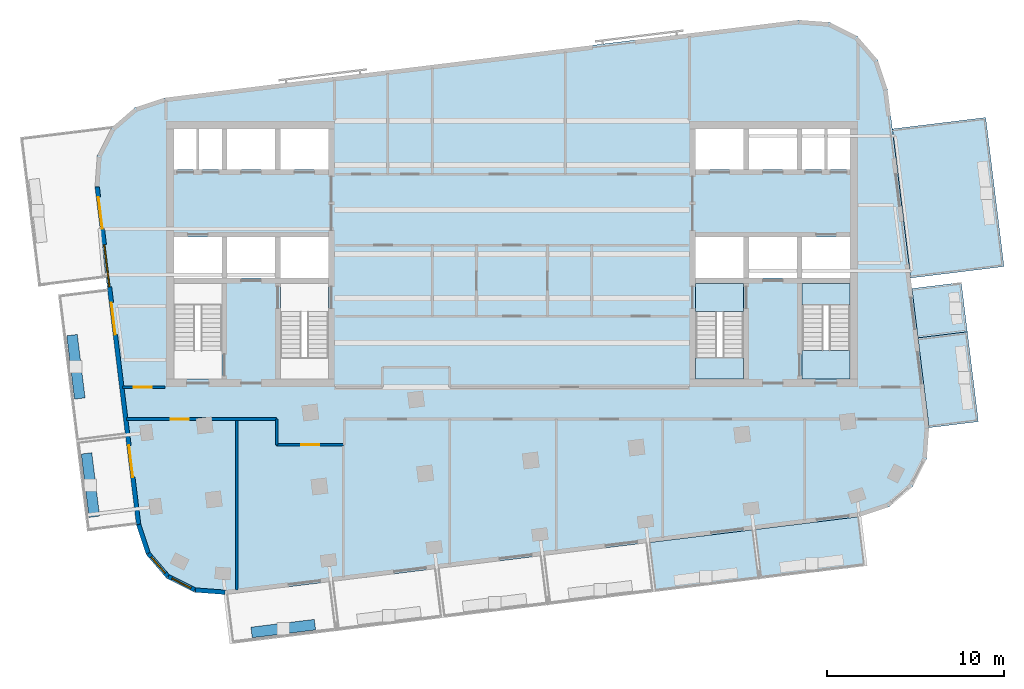
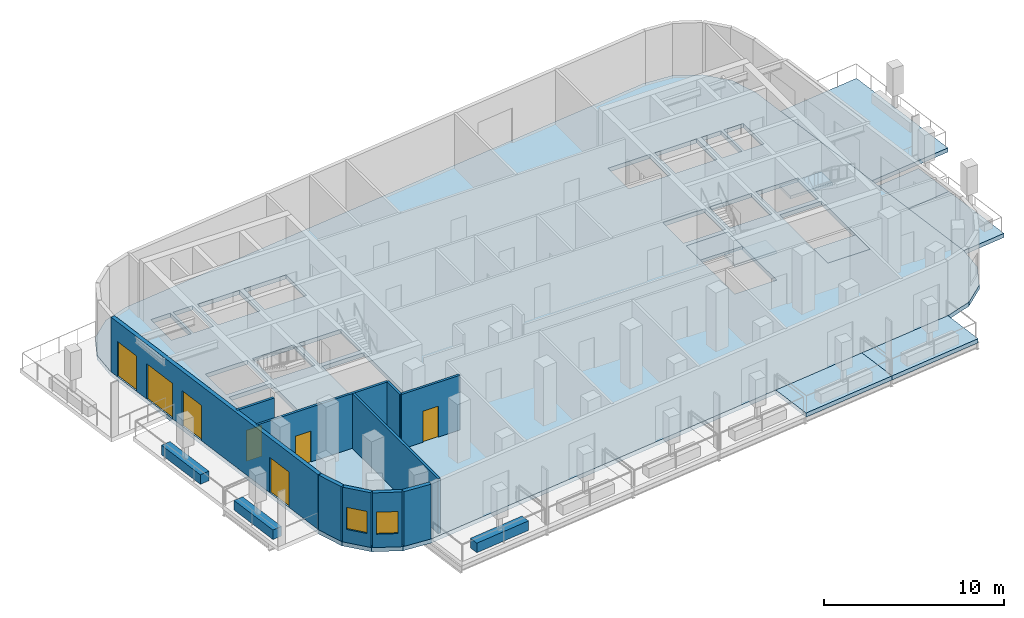
# One storey, part 2 of 10: 13 walls, 10 slabs, 6 doors, 3 windows, 9 openings, 2 elements without a shape of their own.
"""IFC4 building model written with IfcOpenShell, lengths in metres."""

from ifc_helpers import new_model, si_unit, direction, frame, frame_2d, origin, place, context, subcontext, project, spatial, polyline, rectangle, outline, extrude, material, layer, layer_set, type_object, element, fill, aggregate, save


model = new_model("IFC4")

# Units and contexts
model_context = context("Model", 3, precision=1e-05, world=origin(), true_north=direction((0.0, 1.0)))
body_context = subcontext(model_context, "Body", "Model", "MODEL_VIEW")
ifc_project = project(units=[si_unit("LENGTHUNIT", "METRE"), si_unit("AREAUNIT", "SQUARE_METRE"), si_unit("VOLUMEUNIT", "CUBIC_METRE"), si_unit("PLANEANGLEUNIT", "RADIAN"), si_unit("MASSUNIT", "GRAM", prefix="KILO")], contexts=[model_context])

# Site, building, storey
site_placement = place(None, origin())
site = spatial("IfcSite", under=ifc_project, at=site_placement, CompositionType="ELEMENT")
building_placement = place(site_placement, origin())
building = spatial("IfcBuilding", under=site, at=building_placement, Name="Torana Hotel and Residences", CompositionType="ELEMENT")
storey_placement = place(building_placement, frame((0.0, 0.0, 334.60009765625)))
storey = spatial("IfcBuildingStorey", under=building, at=storey_placement, Name="L88", CompositionType="ELEMENT", Elevation=334.60009765625)

# Slabs
ifc_material_1 = material(Name="Concrete C40/50", Category="concrete")
ifc_layer_1 = layer(ifc_material_1, 0.280029296875)
ifc_layer_set_1 = layer_set([ifc_layer_1], Name="BAL1 BALCONY SLAB 280")
slab_type_1 = type_object("IfcSlabType", Name="BAL1 BALCONY SLAB 280", PredefinedType="USERDEFINED", material=ifc_layer_set_1)
slab_1_placement = place(storey_placement, frame((0.0, 0.0, -0.280029296875)))
element("IfcSlab", 1, at=slab_1_placement, inside=storey, type_object=slab_type_1, Name="Balcony 05", ObjectType="BALCONY", PredefinedType="USERDEFINED", context=body_context, shape_type="SweptSolid", body=[
    extrude(outline(polyline([(8.014892578125, -26.542724609375), (13.97021484375, -25.8115234375), (13.62890625, -23.032470703125), (7.673583984375, -23.763671875), (8.014892578125, -26.542724609375)])), origin(), (0.0, 0.0, 1.0), 0.280029296875),
])
slab_2_placement = place(storey_placement, frame((0.0, 0.0, -0.280029296875)))
element("IfcSlab", 2, at=slab_2_placement, inside=storey, type_object=slab_type_1, Name="Balcony 06", ObjectType="BALCONY", PredefinedType="USERDEFINED", context=body_context, shape_type="SweptSolid", body=[
    extrude(outline(polyline([(13.97021484375, -25.8115234375), (19.92529296875, -25.080322265625), (19.584228515625, -22.30126953125), (13.62890625, -23.032470703125), (13.97021484375, -25.8115234375)])), origin(), (0.0, 0.0, 1.0), 0.280029296875),
])
slab_3_placement = place(storey_placement, frame((0.0, 0.0, -0.280029296875)))
element("IfcSlab", 3, at=slab_3_placement, inside=storey, type_object=slab_type_1, Name="Balcony 10", ObjectType="BALCONY", PredefinedType="USERDEFINED", context=body_context, shape_type="SweptSolid", body=[
    extrude(outline(polyline([(23.502197265625, -17.286376953125), (26.281494140625, -16.945068359375), (25.659912109375, -11.88330078125), (22.880615234375, -12.224365234375), (23.502197265625, -17.286376953125)])), origin(), (0.0, 0.0, 1.0), 0.280029296875),
])
slab_4_placement = place(storey_placement, frame((0.0, 0.0, -0.280029296875)))
element("IfcSlab", 4, at=slab_4_placement, inside=storey, type_object=slab_type_1, Name="Balcony 11", ObjectType="BALCONY", PredefinedType="USERDEFINED", context=body_context, shape_type="SweptSolid", body=[
    extrude(outline(polyline([(22.880615234375, -12.224365234375), (25.659912109375, -11.88330078125), (25.318603515625, -9.104248046875), (22.53955078125, -9.445556640625), (22.880615234375, -12.224365234375)])), origin(), (0.0, 0.0, 1.0), 0.280029296875),
])
slab_5_placement = place(storey_placement, frame((0.0, 0.0, -0.280029296875)))
element("IfcSlab", 5, at=slab_5_placement, inside=storey, type_object=slab_type_1, Name="Balcony 12", ObjectType="BALCONY", PredefinedType="USERDEFINED", context=body_context, shape_type="SweptSolid", body=[
    extrude(outline(polyline([(22.46630859375, -8.85009765625), (27.726806640625, -8.2041015625), (26.695556640625, 0.19580078125), (21.43505859375, -0.449951171875), (22.46630859375, -8.85009765625)])), origin(), (0.0, 0.0, 1.0), 0.280029296875),
])
ifc_material_2 = material(Name="Concrete C40/50", Category="concrete")
ifc_layer_2 = layer(ifc_material_2, 0.280029296875)
ifc_layer_set_2 = layer_set([ifc_layer_2], Name="FLOOR SLAB PT 280")
slab_type_2 = type_object("IfcSlabType", Name="FLOOR SLAB PT 280", PredefinedType="FLOOR", material=ifc_layer_set_2)
slab_6_placement = place(storey_placement, frame((0.0, 0.0, -0.280029296875)))
element("IfcSlab", 6, at=slab_6_placement, inside=storey, type_object=slab_type_2, Name="Floor slab", PredefinedType="FLOOR", context=body_context, shape_type="SweptSolid", body=[
    extrude(outline(polyline([(21.162353515625, 1.7705078125), (20.612548828125, 3.43798828125), (19.46630859375, 4.76806640625), (17.8984375, 5.558349609375), (16.1474609375, 5.6884765625), (-19.584228515625, 1.30126953125), (-21.251708984375, 0.75146484375), (-22.581787109375, -0.394775390625), (-23.3720703125, -1.962646484375), (-23.502197265625, -3.713623046875), (-21.162353515625, -22.7705078125), (-20.612548828125, -24.43798828125), (-19.46630859375, -25.76806640625), (-17.8984375, -26.558349609375), (-16.1474609375, -26.6884765625), (19.584228515625, -22.30126953125), (21.251708984375, -21.75146484375), (22.581787109375, -20.605224609375), (23.3720703125, -19.037353515625), (23.502197265625, -17.286376953125), (21.162353515625, 1.7705078125)]), holes=[polyline([(-13.050048828125, -14.550048828125), (-10.35009765625, -14.550048828125), (-10.35009765625, -9.14990234375), (-13.050048828125, -9.14990234375), (-13.050048828125, -14.550048828125)]), polyline([(-19.050048828125, -14.550048828125), (-16.35009765625, -14.550048828125), (-16.35009765625, -9.14990234375), (-19.050048828125, -9.14990234375), (-19.050048828125, -14.550048828125)]), polyline([(-17.625, -2.75), (-16.35009765625, -2.75), (-16.35009765625, -0.449951171875), (-17.625, -0.449951171875), (-17.625, -2.75)]), polyline([(-19.050048828125, -2.75), (-17.77490234375, -2.75), (-17.77490234375, -0.449951171875), (-19.050048828125, -0.449951171875), (-19.050048828125, -2.75)]), polyline([(-13.050048828125, -2.75), (-10.35009765625, -2.75), (-10.35009765625, -0.449951171875), (-13.050048828125, -0.449951171875), (-13.050048828125, -2.75)]), polyline([(-16.050048828125, -2.75), (-13.35009765625, -2.75), (-13.35009765625, -0.449951171875), (-16.050048828125, -0.449951171875), (-16.050048828125, -2.75)]), polyline([(-13.050048828125, -8.85009765625), (-10.35009765625, -8.85009765625), (-10.35009765625, -6.550048828125), (-13.050048828125, -6.550048828125), (-13.050048828125, -8.85009765625)]), polyline([(-16.050048828125, -8.85009765625), (-13.35009765625, -8.85009765625), (-13.35009765625, -6.550048828125), (-16.050048828125, -6.550048828125), (-16.050048828125, -8.85009765625)]), polyline([(-19.050048828125, -8.85009765625), (-16.35009765625, -8.85009765625), (-16.35009765625, -6.550048828125), (-19.050048828125, -6.550048828125), (-19.050048828125, -8.85009765625)]), polyline([(10.35009765625, -14.550048828125), (13.050048828125, -14.550048828125), (13.050048828125, -9.14990234375), (10.35009765625, -9.14990234375), (10.35009765625, -14.550048828125)]), polyline([(16.35009765625, -14.550048828125), (19.050048828125, -14.550048828125), (19.050048828125, -9.14990234375), (16.35009765625, -9.14990234375), (16.35009765625, -14.550048828125)]), polyline([(16.35009765625, -2.75), (17.625, -2.75), (17.625, -0.449951171875), (16.35009765625, -0.449951171875), (16.35009765625, -2.75)]), polyline([(17.77490234375, -2.75), (19.050048828125, -2.75), (19.050048828125, -0.449951171875), (17.77490234375, -0.449951171875), (17.77490234375, -2.75)]), polyline([(10.35009765625, -2.75), (13.050048828125, -2.75), (13.050048828125, -0.449951171875), (10.35009765625, -0.449951171875), (10.35009765625, -2.75)]), polyline([(13.35009765625, -2.75), (16.050048828125, -2.75), (16.050048828125, -0.449951171875), (13.35009765625, -0.449951171875), (13.35009765625, -2.75)]), polyline([(10.35009765625, -8.85009765625), (13.050048828125, -8.85009765625), (13.050048828125, -6.550048828125), (10.35009765625, -6.550048828125), (10.35009765625, -8.85009765625)]), polyline([(13.35009765625, -8.85009765625), (16.050048828125, -8.85009765625), (16.050048828125, -6.550048828125), (13.35009765625, -6.550048828125), (13.35009765625, -8.85009765625)]), polyline([(16.35009765625, -8.85009765625), (19.050048828125, -8.85009765625), (19.050048828125, -6.550048828125), (16.35009765625, -6.550048828125), (16.35009765625, -8.85009765625)])]), origin(), (0.0, 0.0, 1.0), 0.280029296875),
])

# Stair, slabs
ifc_material_3 = material(Name="Concrete C40/50 precast", Category="concrete")
stair_type_1 = type_object("IfcStairType", Name="STAIR ST3 HALF TURN 1200", PredefinedType="HALF_TURN_STAIR", material=ifc_material_3)
stair_1_placement = place(storey_placement, origin())
stair_1 = element("IfcStair", 7, at=stair_1_placement, inside=storey, type_object=stair_type_1, Name="Stair ST3 L88", PredefinedType="HALF_TURN_STAIR")
ifc_material_4 = material(Name="Concrete C40/50 precast", Category="concrete")
ifc_layer_3 = layer(ifc_material_4, 0.199951171875)
ifc_layer_set_3 = layer_set([ifc_layer_3], Name="STAIR LANDING 200")
slab_type_3 = type_object("IfcSlabType", Name="STAIR LANDING 200", PredefinedType="LANDING", material=ifc_layer_set_3)
slab_7_placement = place(storey_placement, frame((0.0, 0.0, 1.7998046875)))
slab_7 = element("IfcSlab", 8, at=slab_7_placement, type_object=slab_type_3, Name="ST3 landing 1", PredefinedType="LANDING", context=body_context, shape_type="SweptSolid", body=[
    extrude(outline(polyline([(10.35009765625, -14.550048828125), (13.050048828125, -14.550048828125), (13.050048828125, -13.35009765625), (10.35009765625, -13.35009765625), (10.35009765625, -14.550048828125)])), origin(), (0.0, 0.0, 1.0), 0.2001953125),
])
slab_8_placement = place(storey_placement, frame((0.0, 0.0, -0.2001953125)))
slab_8 = element("IfcSlab", 9, at=slab_8_placement, type_object=slab_type_3, Name="ST3 landing 2", PredefinedType="LANDING", context=body_context, shape_type="SweptSolid", body=[
    extrude(outline(polyline([(10.35009765625, -10.75), (13.050048828125, -10.75), (13.050048828125, -9.14990234375), (10.35009765625, -9.14990234375), (10.35009765625, -10.75)])), origin(), (0.0, 0.0, 1.0), 0.2001953125),
])
aggregate(stair_1, [slab_7, slab_8])

ifc_material_5 = material(Name="Concrete C40/50 precast", Category="concrete")
stair_type_2 = type_object("IfcStairType", Name="STAIR ST4 HALF TURN 1200", PredefinedType="HALF_TURN_STAIR", material=ifc_material_5)
stair_2_placement = place(storey_placement, origin())
stair_2 = element("IfcStair", 10, at=stair_2_placement, inside=storey, type_object=stair_type_2, Name="Stair ST4 L88", PredefinedType="HALF_TURN_STAIR")
slab_9_placement = place(storey_placement, frame((0.0, 0.0, 1.7998046875)))
slab_9 = element("IfcSlab", 11, at=slab_9_placement, type_object=slab_type_3, Name="ST4 landing 1", PredefinedType="LANDING", context=body_context, shape_type="SweptSolid", body=[
    extrude(outline(polyline([(16.35009765625, -10.35009765625), (19.050048828125, -10.35009765625), (19.050048828125, -9.14990234375), (16.35009765625, -9.14990234375), (16.35009765625, -10.35009765625)])), origin(), (0.0, 0.0, 1.0), 0.2001953125),
])
slab_10_placement = place(storey_placement, frame((0.0, 0.0, -0.2001953125)))
slab_10 = element("IfcSlab", 12, at=slab_10_placement, type_object=slab_type_3, Name="ST4 landing 2", PredefinedType="LANDING", context=body_context, shape_type="SweptSolid", body=[
    extrude(outline(polyline([(16.35009765625, -14.550048828125), (19.050048828125, -14.550048828125), (19.050048828125, -12.949951171875), (16.35009765625, -12.949951171875), (16.35009765625, -14.550048828125)])), origin(), (0.0, 0.0, 1.0), 0.2001953125),
])
aggregate(stair_2, [slab_9, slab_10])

# Wall, openings, doors, window
ifc_material_6 = material(Name="Black aluminium composite panel", Category="aluminium")
ifc_layer_4 = layer(ifc_material_6, 0.00390625, Name="Cladding", Category="cladding")
ifc_material_7 = material(Name="Ventilated air cavity")
ifc_layer_5 = layer(ifc_material_7, 0.0400390625, Name="Ventilated cavity", Category="cavity")
ifc_material_8 = material(Name="Mineral wool insulation")
ifc_layer_6 = layer(ifc_material_8, 0.090087890625, Name="Insulation", Category="insulation")
ifc_material_9 = material(Name="Steel S280GD", Category="steel")
ifc_layer_7 = layer(ifc_material_9, 0.092041015625, Name="Steel stud frame", Category="structure")
ifc_material_10 = material(Name="Fire rated plasterboard")
ifc_layer_8 = layer(ifc_material_10, 0.011962890625, Name="Inner board", Category="finish")
ifc_layer_9 = layer(ifc_material_10, 0.011962890625, Name="Second board", Category="finish")
ifc_layer_set_4 = layer_set([ifc_layer_4, ifc_layer_5, ifc_layer_6, ifc_layer_7, ifc_layer_8, ifc_layer_9], Name="EW1 EXTERNAL WALL BLACK METAL CLAD 250")
wall_type_1 = type_object("IfcWallType", Name="EW1 EXTERNAL WALL BLACK METAL CLAD 250", PredefinedType="SOLIDWALL", material=ifc_layer_set_4)
wall_1_placement = place(storey_placement, frame((-23.375, -3.722900390625, 0.0), z_axis=(0.0, 0.0, 1.0), x_axis=(0.121862878281, -0.992546945437, 0.0)))
wall_1 = element("IfcWall", 13, at=wall_1_placement, inside=storey, type_object=wall_type_1, Name="External wall L88 e0.9", PredefinedType="SOLIDWALL", context=body_context, shape_type="SweptSolid", body=[
    extrude(rectangle(XDim=19.150634765625, YDim=0.25, at=frame_2d((9.5751953125, 0.0))), origin(), (0.0, 0.0, 1.0), 3.719970703125),
])
opening_1_placement = place(wall_1_placement, frame((0.574951171875, 0.0, 0.0)))
opening_1 = element("IfcOpeningElement", 14, at=opening_1_placement, cuts=wall_1, Name="Opening L88-E10", PredefinedType="OPENING", context=body_context, shape_type="SweptSolid", body=[
    extrude(rectangle(XDim=1.800048828125, YDim=2.39990234375, at=frame_2d((0.89990234375, 1.199951171875))), frame((0.0, 0.135009765625, 0.0), z_axis=(0.0, -1.0, 0.0), x_axis=(1.0, 0.0, 0.0)), (0.0, 0.0, 1.0), 0.27001953125),
])
opening_2_placement = place(wall_1_placement, frame((3.275390625, 0.0, 0.0)))
opening_2 = element("IfcOpeningElement", 15, at=opening_2_placement, cuts=wall_1, Name="Opening W6", PredefinedType="OPENING", context=body_context, shape_type="SweptSolid", body=[
    extrude(rectangle(XDim=2.39990234375, YDim=2.39990234375, at=frame_2d((1.199951171875, 1.199951171875))), frame((0.0, 0.135009765625, 0.0), z_axis=(0.0, -1.0, 0.0), x_axis=(1.0, 0.0, 0.0)), (0.0, 0.0, 1.0), 0.27001953125),
])
opening_3_placement = place(wall_1_placement, frame((6.57568359375, 0.0, 0.0)))
opening_3 = element("IfcOpeningElement", 16, at=opening_3_placement, cuts=wall_1, Name="Opening L88-E11", PredefinedType="OPENING", context=body_context, shape_type="SweptSolid", body=[
    extrude(rectangle(XDim=1.800048828125, YDim=2.39990234375, at=frame_2d((0.89990234375, 1.199951171875))), frame((0.0, 0.135009765625, 0.0), z_axis=(0.0, -1.0, 0.0), x_axis=(1.0, 0.0, 0.0)), (0.0, 0.0, 1.0), 0.27001953125),
])
opening_4_placement = place(wall_1_placement, frame((14.675048828125, 0.0, 0.0)))
opening_4 = element("IfcOpeningElement", 17, at=opening_4_placement, cuts=wall_1, Name="Opening L88-E12", PredefinedType="OPENING", context=body_context, shape_type="SweptSolid", body=[
    extrude(rectangle(XDim=1.800048828125, YDim=2.39990234375, at=frame_2d((0.89990234375, 1.199951171875))), frame((0.0, 0.135009765625, 0.0), z_axis=(0.0, -1.0, 0.0), x_axis=(1.0, 0.0, 0.0)), (0.0, 0.0, 1.0), 0.27001953125),
])
ifc_material_11 = material(Name="Dark glass in black aluminium frame", Category="aluminium")
door_type_1 = type_object("IfcDoorType", Name="DB1 BALCONY DOOR 1800x2400", OperationType="DOUBLE_DOOR_SINGLE_SWING", PredefinedType="DOOR", material=ifc_material_11)
door_1_placement = place(opening_1_placement, origin())
door_1 = element("IfcDoor", 18, at=door_1_placement, inside=storey, type_object=door_type_1, Name="Balcony door L88", OperationType="DOUBLE_DOOR_SINGLE_SWING", OverallHeight=2.39990234375, OverallWidth=1.800048828125, PredefinedType="DOOR", context=body_context, shape_type="SweptSolid", body=[
    extrude(rectangle(XDim=1.800048828125, YDim=2.39990234375, at=frame_2d((0.89990234375, 1.199951171875))), frame((0.0, 0.02490234375, 0.0), z_axis=(0.0, -1.0, 0.0), x_axis=(1.0, 0.0, 0.0)), (0.0, 0.0, 1.0), 0.050048828125),
])
fill(opening_1, door_1)
door_2_placement = place(opening_3_placement, origin())
door_2 = element("IfcDoor", 19, at=door_2_placement, inside=storey, type_object=door_type_1, Name="Balcony door L88", OperationType="DOUBLE_DOOR_SINGLE_SWING", OverallHeight=2.39990234375, OverallWidth=1.800048828125, PredefinedType="DOOR", context=body_context, shape_type="SweptSolid", body=[
    extrude(rectangle(XDim=1.800048828125, YDim=2.39990234375, at=frame_2d((0.89990234375, 1.199951171875))), frame((0.0, 0.02490234375, 0.0), z_axis=(0.0, -1.0, 0.0), x_axis=(1.0, 0.0, 0.0)), (0.0, 0.0, 1.0), 0.050048828125),
])
fill(opening_3, door_2)
door_3_placement = place(opening_4_placement, origin())
door_3 = element("IfcDoor", 20, at=door_3_placement, inside=storey, type_object=door_type_1, Name="Balcony door L88", OperationType="DOUBLE_DOOR_SINGLE_SWING", OverallHeight=2.39990234375, OverallWidth=1.800048828125, PredefinedType="DOOR", context=body_context, shape_type="SweptSolid", body=[
    extrude(rectangle(XDim=1.800048828125, YDim=2.39990234375, at=frame_2d((0.89990234375, 1.199951171875))), frame((0.0, 0.02490234375, 0.0), z_axis=(0.0, -1.0, 0.0), x_axis=(1.0, 0.0, 0.0)), (0.0, 0.0, 1.0), 0.050048828125),
])
fill(opening_4, door_3)
ifc_material_12 = material(Name="Dark glass in black aluminium frame", Category="aluminium")
window_type_1 = type_object("IfcWindowType", Name="W6 CLUB GLAZED BAY 2400x2400", PartitioningType="SINGLE_PANEL", PredefinedType="WINDOW", material=ifc_material_12)
window_1_placement = place(opening_2_placement, origin())
window_1 = element("IfcWindow", 21, at=window_1_placement, inside=storey, type_object=window_type_1, Name="Window L88", OverallHeight=2.39990234375, OverallWidth=2.39990234375, PartitioningType="SINGLE_PANEL", PredefinedType="WINDOW", context=body_context, shape_type="SweptSolid", body=[
    extrude(rectangle(XDim=2.39990234375, YDim=2.39990234375, at=frame_2d((1.199951171875, 1.199951171875))), frame((0.0, 0.030029296875, 0.0), z_axis=(0.0, -1.0, 0.0), x_axis=(1.0, 0.0, 0.0)), (0.0, 0.0, 1.0), 0.06005859375),
])
fill(opening_2, window_1)

# Wall
wall_2_placement = place(storey_placement, frame((-21.035888671875, -22.754638671875, 0.0), z_axis=(0.0, 0.0, 1.0), x_axis=(0.313046160822, -0.949737911844, 0.0)))
element("IfcWall", 22, at=wall_2_placement, inside=storey, type_object=wall_type_1, Name="External wall L88 e0.10", PredefinedType="SOLIDWALL", context=body_context, shape_type="SweptSolid", body=[
    extrude(rectangle(XDim=1.681396484375, YDim=0.25, at=frame_2d((0.8408203125, 0.0))), origin(), (0.0, 0.0, 1.0), 3.719970703125),
])

# Wall, opening, window
wall_3_placement = place(storey_placement, frame((-20.4853515625, -24.39404296875, 0.0), z_axis=(0.0, 0.0, 1.0), x_axis=(0.652755886531, -0.757568315466, 0.0)))
wall_3 = element("IfcWall", 23, at=wall_3_placement, inside=storey, type_object=wall_type_1, Name="External wall L88 e0.11", PredefinedType="SOLIDWALL", context=body_context, shape_type="SweptSolid", body=[
    extrude(rectangle(XDim=1.65625, YDim=0.25, at=frame_2d((0.828125, 0.0))), origin(), (0.0, 0.0, 1.0), 3.719970703125),
])
opening_5_placement = place(wall_3_placement, frame((0.228271484375, 0.0, 0.89990234375)))
opening_5 = element("IfcOpeningElement", 24, at=opening_5_placement, cuts=wall_3, Name="Opening W5", PredefinedType="OPENING", context=body_context, shape_type="SweptSolid", body=[
    extrude(rectangle(XDim=1.199951171875, YDim=1.5, at=frame_2d((0.60009765625, 0.75))), frame((0.0, 0.135009765625, 0.0), z_axis=(0.0, -1.0, 0.0), x_axis=(1.0, 0.0, 0.0)), (0.0, 0.0, 1.0), 0.27001953125),
])
ifc_material_13 = material(Name="Dark glass in black aluminium frame", Category="aluminium")
window_type_2 = type_object("IfcWindowType", Name="W5 CORNER FACET WINDOW 1200x1500", PartitioningType="SINGLE_PANEL", PredefinedType="WINDOW", material=ifc_material_13)
window_2_placement = place(opening_5_placement, origin())
window_2 = element("IfcWindow", 25, at=window_2_placement, inside=storey, type_object=window_type_2, Name="Window L88 e0.11", OverallHeight=1.5, OverallWidth=1.199951171875, PartitioningType="SINGLE_PANEL", PredefinedType="WINDOW", context=body_context, shape_type="SweptSolid", body=[
    extrude(rectangle(XDim=1.199951171875, YDim=1.5, at=frame_2d((0.60009765625, 0.75))), frame((0.0, 0.030029296875, 0.0), z_axis=(0.0, -1.0, 0.0), x_axis=(1.0, 0.0, 0.0)), (0.0, 0.0, 1.0), 0.06005859375),
])
fill(opening_5, window_2)

wall_4_placement = place(storey_placement, frame((-19.36572265625, -25.678955078125, 0.0), z_axis=(0.0, 0.0, 1.0), x_axis=(0.893007580524, -0.450041621549, 0.0)))
wall_4 = element("IfcWall", 26, at=wall_4_placement, inside=storey, type_object=wall_type_1, Name="External wall L88 e0.12", PredefinedType="SOLIDWALL", context=body_context, shape_type="SweptSolid", body=[
    extrude(rectangle(XDim=1.65625, YDim=0.25, at=frame_2d((0.828125, 0.0))), origin(), (0.0, 0.0, 1.0), 3.719970703125),
])
opening_6_placement = place(wall_4_placement, frame((0.228271484375, 0.0, 0.89990234375)))
opening_6 = element("IfcOpeningElement", 27, at=opening_6_placement, cuts=wall_4, Name="Opening W5", PredefinedType="OPENING", context=body_context, shape_type="SweptSolid", body=[
    extrude(rectangle(XDim=1.199951171875, YDim=1.5, at=frame_2d((0.60009765625, 0.75))), frame((0.0, 0.135009765625, 0.0), z_axis=(0.0, -1.0, 0.0), x_axis=(1.0, 0.0, 0.0)), (0.0, 0.0, 1.0), 0.27001953125),
])
window_3_placement = place(opening_6_placement, origin())
window_3 = element("IfcWindow", 28, at=window_3_placement, inside=storey, type_object=window_type_2, Name="Window L88 e0.12", OverallHeight=1.5, OverallWidth=1.199951171875, PartitioningType="SINGLE_PANEL", PredefinedType="WINDOW", context=body_context, shape_type="SweptSolid", body=[
    extrude(rectangle(XDim=1.199951171875, YDim=1.5, at=frame_2d((0.60009765625, 0.75))), frame((0.0, 0.030029296875, 0.0), z_axis=(0.0, -1.0, 0.0), x_axis=(1.0, 0.0, 0.0)), (0.0, 0.0, 1.0), 0.06005859375),
])
fill(opening_6, window_3)

# Walls
wall_5_placement = place(storey_placement, frame((-17.839599609375, -26.4375, 0.0), z_axis=(0.0, 0.0, 1.0), x_axis=(0.997254267475, -0.074053534713, 0.0)))
element("IfcWall", 29, at=wall_5_placement, inside=storey, type_object=wall_type_1, Name="External wall L88 e0.13", PredefinedType="SOLIDWALL", context=body_context, shape_type="SweptSolid", body=[
    extrude(rectangle(XDim=1.681396484375, YDim=0.25, at=frame_2d((0.8408203125, 0.0))), origin(), (0.0, 0.0, 1.0), 3.719970703125),
])
ifc_material_14 = material(Name="Gypsum plaster")
ifc_layer_10 = layer(ifc_material_14, 0.014892578125, Name="Plaster", Category="finish")
ifc_material_15 = material(Name="Concrete blockwork", Category="masonry")
ifc_layer_11 = layer(ifc_material_15, 0.1201171875, Name="Blockwork", Category="structure")
ifc_layer_12 = layer(ifc_material_14, 0.014892578125, Name="Plaster", Category="finish")
ifc_layer_set_5 = layer_set([ifc_layer_10, ifc_layer_11, ifc_layer_12], Name="FIRE PARTITION 150 BLOCKWORK")
wall_type_2 = type_object("IfcWallType", Name="FIRE PARTITION 150 BLOCKWORK", PredefinedType="PARTITIONING", material=ifc_layer_set_5)
wall_6_placement = place(storey_placement, frame((-13.262939453125, -18.2548828125, 0.0), z_axis=(0.0, 0.0, 1.0), x_axis=(0.0, 1.0, 0.0)))
element("IfcWall", 30, at=wall_6_placement, inside=storey, type_object=wall_type_2, Name="Partition L88", PredefinedType="PARTITIONING", context=body_context, shape_type="SweptSolid", body=[
    extrude(rectangle(XDim=1.454833984375, YDim=0.14990234375, at=frame_2d((0.7275390625, 0.0))), origin(), (0.0, 0.0, 1.0), 3.719970703125),
])

# Wall, opening, door
wall_7_placement = place(storey_placement, frame((-13.262939453125, -18.2548828125, 0.0), z_axis=(0.0, 0.0, 1.0), x_axis=(1.0, 0.0, 0.0)))
wall_7 = element("IfcWall", 31, at=wall_7_placement, inside=storey, type_object=wall_type_2, Name="Partition L88", PredefinedType="PARTITIONING", context=body_context, shape_type="SweptSolid", body=[
    extrude(rectangle(XDim=3.760986328125, YDim=0.14990234375, at=frame_2d((1.88037109375, 0.0))), origin(), (0.0, 0.0, 1.0), 3.719970703125),
])
opening_7_placement = place(wall_7_placement, frame((1.39111328125, 0.0, 0.0)))
opening_7 = element("IfcOpeningElement", 32, at=opening_7_placement, cuts=wall_7, Name="Opening L88-21", PredefinedType="OPENING", context=body_context, shape_type="SweptSolid", body=[
    extrude(rectangle(XDim=1.0, YDim=2.10009765625, at=frame_2d((0.5, 1.050048828125))), frame((0.0, 0.0849609375, 0.0), z_axis=(0.0, -1.0, 0.0), x_axis=(1.0, 0.0, 0.0)), (0.0, 0.0, 1.0), 0.169921875),
])
ifc_material_16 = material(Name="Steel S235", Category="steel")
door_type_2 = type_object("IfcDoorType", Name="ENTRY FIRE DOOR D6 1000x2100", OperationType="SINGLE_SWING_LEFT", PredefinedType="DOOR", material=ifc_material_16)
door_4_placement = place(opening_7_placement, frame((0.5, 0.0, 0.0), z_axis=(0.0, 0.0, 1.0), x_axis=(-1.0, 0.0, 0.0)))
door_4 = element("IfcDoor", 33, at=door_4_placement, inside=storey, type_object=door_type_2, Name="Door L88", OperationType="SINGLE_SWING_RIGHT", OverallHeight=2.10009765625, OverallWidth=1.0, PredefinedType="DOOR", context=body_context, shape_type="SweptSolid", body=[
    extrude(rectangle(XDim=1.0, YDim=2.10009765625, at=frame_2d((0.0, 1.050048828125))), frame((0.0, -0.02490234375, 0.0), z_axis=(0.0, 1.0, 0.0), x_axis=(-1.0, 0.0, 0.0)), (0.0, 0.0, 1.0), 0.050048828125),
])
fill(opening_7, door_4)

wall_8_placement = place(storey_placement, frame((-21.714111328125, -16.800048828125, 0.0), z_axis=(0.0, 0.0, 1.0), x_axis=(1.0, 0.0, 0.0)))
wall_8 = element("IfcWall", 34, at=wall_8_placement, inside=storey, type_object=wall_type_2, Name="Partition L88", PredefinedType="PARTITIONING", context=body_context, shape_type="SweptSolid", body=[
    extrude(rectangle(XDim=8.451171875, YDim=0.14990234375, at=frame_2d((4.2255859375, 0.0))), origin(), (0.0, 0.0, 1.0), 3.719970703125),
])
opening_8_placement = place(wall_8_placement, frame((2.491943359375, 0.0, 0.0)))
opening_8 = element("IfcOpeningElement", 35, at=opening_8_placement, cuts=wall_8, Name="Opening L88-20", PredefinedType="OPENING", context=body_context, shape_type="SweptSolid", body=[
    extrude(rectangle(XDim=1.0, YDim=2.10009765625, at=frame_2d((0.5, 1.050048828125))), frame((0.0, 0.0849609375, 0.0), z_axis=(0.0, -1.0, 0.0), x_axis=(1.0, 0.0, 0.0)), (0.0, 0.0, 1.0), 0.169921875),
])
door_5_placement = place(opening_8_placement, frame((0.5, 0.0, 0.0), z_axis=(0.0, 0.0, 1.0), x_axis=(-1.0, 0.0, 0.0)))
door_5 = element("IfcDoor", 36, at=door_5_placement, inside=storey, type_object=door_type_2, Name="Door L88", OperationType="SINGLE_SWING_RIGHT", OverallHeight=2.10009765625, OverallWidth=1.0, PredefinedType="DOOR", context=body_context, shape_type="SweptSolid", body=[
    extrude(rectangle(XDim=1.0, YDim=2.10009765625, at=frame_2d((0.0, 1.050048828125))), frame((0.0, -0.02490234375, 0.0), z_axis=(0.0, 1.0, 0.0), x_axis=(-1.0, 0.0, 0.0)), (0.0, 0.0, 1.0), 0.050048828125),
])
fill(opening_8, door_5)

wall_9_placement = place(storey_placement, frame((-21.93505859375, -15.0, 0.0), z_axis=(0.0, 0.0, 1.0), x_axis=(1.0, 0.0, 0.0)))
wall_9 = element("IfcWall", 37, at=wall_9_placement, inside=storey, type_object=wall_type_2, Name="Partition L88", PredefinedType="PARTITIONING", context=body_context, shape_type="SweptSolid", body=[
    extrude(rectangle(XDim=2.385009765625, YDim=0.14990234375, at=frame_2d((1.1923828125, 0.0))), origin(), (0.0, 0.0, 1.0), 3.719970703125),
])
opening_9_placement = place(wall_9_placement, frame((0.626953125, 0.0, 0.0)))
opening_9 = element("IfcOpeningElement", 38, at=opening_9_placement, cuts=wall_9, Name="Opening L88-27", PredefinedType="OPENING", context=body_context, shape_type="SweptSolid", body=[
    extrude(rectangle(XDim=1.0, YDim=2.10009765625, at=frame_2d((0.5, 1.050048828125))), frame((0.0, 0.0849609375, 0.0), z_axis=(0.0, -1.0, 0.0), x_axis=(1.0, 0.0, 0.0)), (0.0, 0.0, 1.0), 0.169921875),
])
ifc_material_17 = material(Name="Steel S235", Category="steel")
door_type_3 = type_object("IfcDoorType", Name="CORE ROOM FIRE DOOR D14 1000x2100", OperationType="SINGLE_SWING_LEFT", PredefinedType="DOOR", material=ifc_material_17)
door_6_placement = place(opening_9_placement, origin())
door_6 = element("IfcDoor", 39, at=door_6_placement, inside=storey, type_object=door_type_3, Name="Door L88", OperationType="SINGLE_SWING_RIGHT", OverallHeight=2.10009765625, OverallWidth=1.0, PredefinedType="DOOR", context=body_context, shape_type="SweptSolid", body=[
    extrude(rectangle(XDim=1.0, YDim=2.10009765625, at=frame_2d((0.5, 1.050048828125))), frame((0.0, 0.02490234375, 0.0), z_axis=(0.0, -1.0, 0.0), x_axis=(1.0, 0.0, 0.0)), (0.0, 0.0, 1.0), 0.050048828125),
])
fill(opening_9, door_6)

# Walls
ifc_material_18 = material(Name="Gypsum plasterboard")
ifc_layer_13 = layer(ifc_material_18, 0.012451171875, Name="Plasterboard", Category="finish")
ifc_layer_14 = layer(ifc_material_18, 0.012451171875, Name="Plasterboard", Category="finish")
ifc_layer_15 = layer(ifc_material_9, 0.10009765625, Name="Steel studs with mineral wool", Category="insulation")
ifc_layer_16 = layer(ifc_material_18, 0.012451171875, Name="Plasterboard", Category="finish")
ifc_layer_17 = layer(ifc_material_18, 0.012451171875, Name="Plasterboard", Category="finish")
ifc_layer_set_6 = layer_set([ifc_layer_13, ifc_layer_14, ifc_layer_15, ifc_layer_16, ifc_layer_17], Name="PARTITION 150 PLASTERBOARD")
wall_type_3 = type_object("IfcWallType", Name="PARTITION 150 PLASTERBOARD", PredefinedType="PARTITIONING", material=ifc_layer_set_6)
wall_10_placement = place(storey_placement, frame((-15.501953125, -26.427978515625, 0.0), z_axis=(0.0, 0.0, 1.0), x_axis=(0.0, 1.0, 0.0)))
element("IfcWall", 40, at=wall_10_placement, inside=storey, type_object=wall_type_3, Name="Partition L88", PredefinedType="PARTITIONING", context=body_context, shape_type="SweptSolid", body=[
    extrude(rectangle(XDim=9.6279296875, YDim=0.14990234375, at=frame_2d((4.81396484375, 0.0))), origin(), (0.0, 0.0, 1.0), 3.719970703125),
])
ifc_material_19 = material(Name="Concrete C40/50 precast", Category="concrete")
ifc_layer_18 = layer(ifc_material_19, 0.10009765625, Name="Planter shell", Category="structure")
ifc_material_20 = material(Name="Root resistant membrane")
ifc_layer_19 = layer(ifc_material_20, 0.00390625, Name="Waterproofing membrane", Category="membrane")
ifc_material_21 = material(Name="Drainage board with filter fleece")
ifc_layer_20 = layer(ifc_material_21, 0.02001953125, Name="Drainage board", Category="drainage")
ifc_material_22 = material(Name="Growing medium")
ifc_layer_21 = layer(ifc_material_22, 0.47607421875, Name="Planting substrate", Category="soil")
ifc_layer_set_7 = layer_set([ifc_layer_18, ifc_layer_19, ifc_layer_20, ifc_layer_21], Name="PL1 BALCONY PLANTER 600")
wall_type_4 = type_object("IfcWallType", Name="PL1 BALCONY PLANTER 600", PredefinedType="USERDEFINED", material=ifc_layer_set_7)
wall_11_placement = place(storey_placement, frame((-11.10302734375, -28.386474609375, 0.0), z_axis=(0.0, 0.0, 1.0), x_axis=(-0.992545758265, -0.121872547154, 0.0)))
element("IfcWall", 41, at=wall_11_placement, inside=storey, type_object=wall_type_4, Name="Planter 01", ObjectType="PLANTER", PredefinedType="USERDEFINED", context=body_context, shape_type="SweptSolid", body=[
    extrude(rectangle(XDim=3.599853515625, YDim=0.60009765625, at=frame_2d((1.7998046875, 0.0))), origin(), (0.0, 0.0, 1.0), 0.64990234375),
])
wall_12_placement = place(storey_placement, frame((-23.53662109375, -22.306396484375, 0.0), z_axis=(0.0, 0.0, 1.0), x_axis=(-0.121864343918, 0.992546765488, 0.0)))
element("IfcWall", 42, at=wall_12_placement, inside=storey, type_object=wall_type_4, Name="Planter 07", ObjectType="PLANTER", PredefinedType="USERDEFINED", context=body_context, shape_type="SweptSolid", body=[
    extrude(rectangle(XDim=3.60009765625, YDim=0.60009765625, at=frame_2d((1.800048828125, 0.0))), origin(), (0.0, 0.0, 1.0), 0.64990234375),
])
wall_13_placement = place(storey_placement, frame((-24.354736328125, -15.643798828125, 0.0), z_axis=(0.0, 0.0, 1.0), x_axis=(-0.121872547154, 0.992545758265, 0.0)))
element("IfcWall", 43, at=wall_13_placement, inside=storey, type_object=wall_type_4, Name="Planter 08", ObjectType="PLANTER", PredefinedType="USERDEFINED", context=body_context, shape_type="SweptSolid", body=[
    extrude(rectangle(XDim=3.599853515625, YDim=0.60009765625, at=frame_2d((1.7998046875, 0.0))), origin(), (0.0, 0.0, 1.0), 0.64990234375),
])

save(model, "model.ifc")
